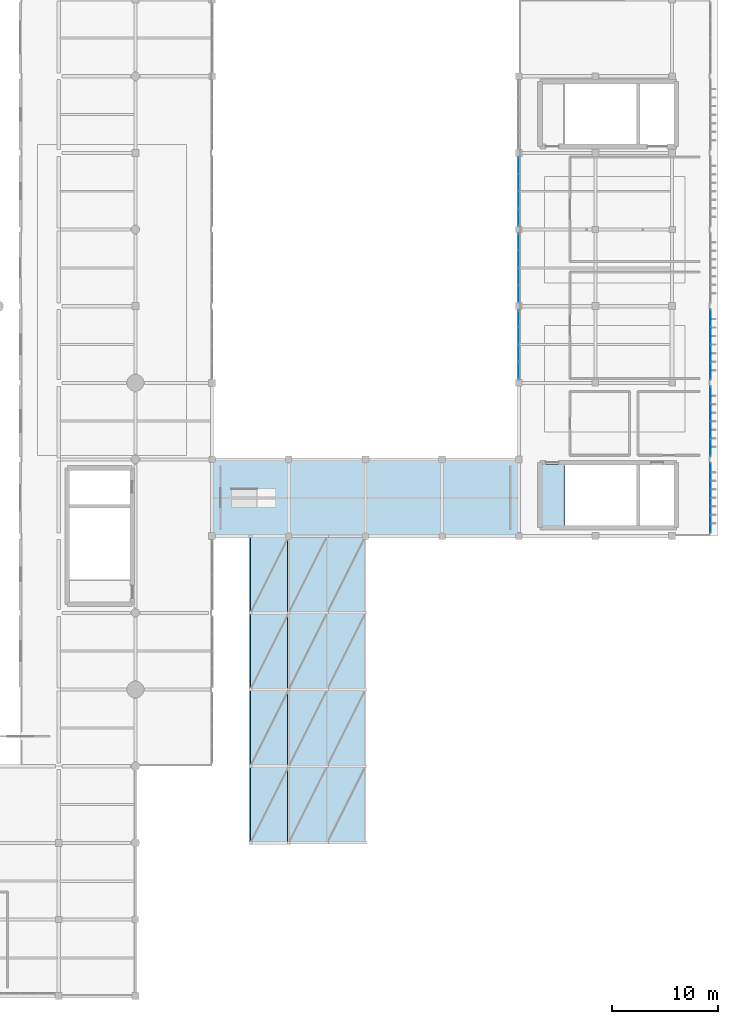
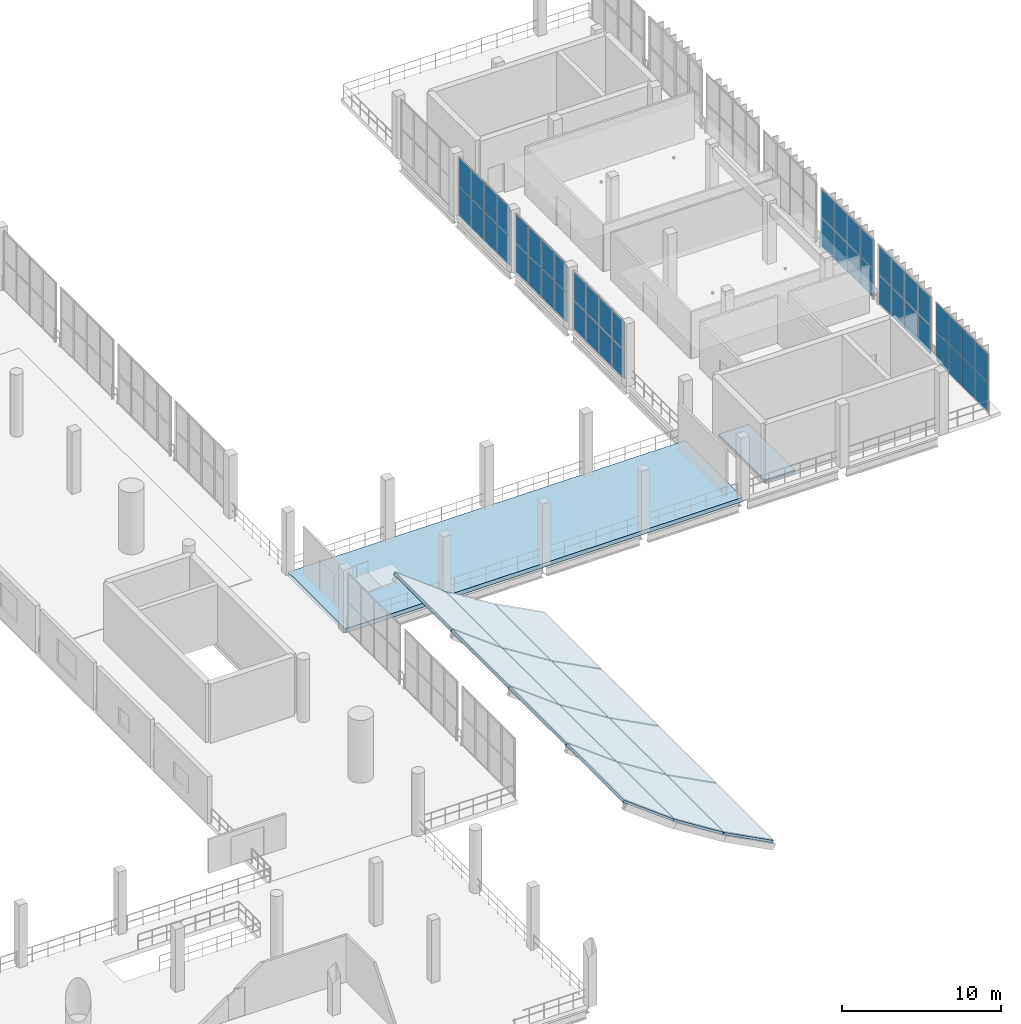
# One storey, part 80 of 105: 48 plates, 14 slabs, 6 elements without a shape of their own.
"""IFC4 building model written with IfcOpenShell, lengths in metres."""

from ifc_helpers import new_model, si_unit, direction, frame, origin, origin_2d, place, context, subcontext, project, spatial, polyline, rectangle, outline, extrude, material, layer, layer_set, type_object, element, aggregate, save


model = new_model("IFC4")

# Units and contexts
model_context = context("Model", 3, precision=1e-05, world=origin(), true_north=direction((0.0, 1.0)))
body_context = subcontext(model_context, "Body", "Model", "MODEL_VIEW")
ifc_project = project(units=[si_unit("LENGTHUNIT", "METRE"), si_unit("AREAUNIT", "SQUARE_METRE"), si_unit("VOLUMEUNIT", "CUBIC_METRE"), si_unit("PLANEANGLEUNIT", "RADIAN"), si_unit("MASSUNIT", "GRAM", prefix="KILO")], contexts=[model_context])

# Site, building, storey
site_placement = place(None, origin())
site = spatial("IfcSite", under=ifc_project, at=site_placement, CompositionType="ELEMENT")
building_placement = place(site_placement, origin())
building = spatial("IfcBuilding", under=site, at=building_placement, Name="Qandorah Velis Arena", CompositionType="ELEMENT")
storey_placement = place(building_placement, frame((0.0, 0.0, 13.800048828125)))
storey = spatial("IfcBuildingStorey", under=building, at=storey_placement, Name="L03", CompositionType="ELEMENT", Elevation=13.800048828125)

# Curtain wall, plates
ifc_material_1 = material(Name="Solar-control low-E double glazing", Category="glass")
curtain_wall_type_1 = type_object("IfcCurtainWallType", Name="ARC-CW-SYS09", PredefinedType="USERDEFINED", material=ifc_material_1)
curtain_wall_1_placement = place(storey_placement, origin())
curtain_wall_1 = element("IfcCurtainWall", 1, at=curtain_wall_1_placement, inside=storey, type_object=curtain_wall_type_1, Name="Unitised curtain wall L03-129", ObjectType="UNITISED CURTAIN WALL", PredefinedType="USERDEFINED")
ifc_layer_1 = layer(ifc_material_1, 0.02392578125)
ifc_layer_set_1 = layer_set([ifc_layer_1], Name="Solar-control low-E double glazing")
plate_type_1 = type_object("IfcPlateType", Name="ARC-CWP-GLZ24", PredefinedType="CURTAIN_PANEL", material=ifc_layer_set_1)
plate_1_placement = place(storey_placement, frame((151.199951171875, 58.75927734375, 0.06494140625), z_axis=(0.0, 0.0, 1.0), x_axis=(0.0, 1.0, 0.0)))
plate_1 = element("IfcPlate", 2, at=plate_1_placement, type_object=plate_type_1, Name="CW09 panel 1.1", PredefinedType="CURTAIN_PANEL", context=body_context, shape_type="SweptSolid", body=[
    extrude(rectangle(XDim=1.538818359375, YDim=0.02392578125, at=origin_2d()), origin(), (0.0, 0.0, 1.0), 2.172607421875),
])
plate_2_placement = place(storey_placement, frame((151.199951171875, 58.75927734375, 2.29248046875), z_axis=(0.0, 0.0, 1.0), x_axis=(0.0, 1.0, 0.0)))
plate_2 = element("IfcPlate", 3, at=plate_2_placement, type_object=plate_type_1, Name="CW09 panel 1.2", PredefinedType="CURTAIN_PANEL", context=body_context, shape_type="SweptSolid", body=[
    extrude(rectangle(XDim=1.538818359375, YDim=0.02392578125, at=origin_2d()), origin(), (0.0, 0.0, 1.0), 2.172607421875),
])
plate_3_placement = place(storey_placement, frame((151.199951171875, 60.371826171875, 0.06494140625), z_axis=(0.0, 0.0, 1.0), x_axis=(0.0, 1.0, 0.0)))
plate_3 = element("IfcPlate", 4, at=plate_3_placement, type_object=plate_type_1, Name="CW09 panel 2.1", PredefinedType="CURTAIN_PANEL", context=body_context, shape_type="SweptSolid", body=[
    extrude(rectangle(XDim=1.576416015625, YDim=0.02392578125, at=origin_2d()), origin(), (0.0, 0.0, 1.0), 2.172607421875),
])
plate_4_placement = place(storey_placement, frame((151.199951171875, 60.371826171875, 2.29248046875), z_axis=(0.0, 0.0, 1.0), x_axis=(0.0, 1.0, 0.0)))
plate_4 = element("IfcPlate", 5, at=plate_4_placement, type_object=plate_type_1, Name="CW09 panel 2.2", PredefinedType="CURTAIN_PANEL", context=body_context, shape_type="SweptSolid", body=[
    extrude(rectangle(XDim=1.576416015625, YDim=0.02392578125, at=origin_2d()), origin(), (0.0, 0.0, 1.0), 2.172607421875),
])
plate_5_placement = place(storey_placement, frame((151.199951171875, 62.003173828125, 0.06494140625), z_axis=(0.0, 0.0, 1.0), x_axis=(0.0, 1.0, 0.0)))
plate_5 = element("IfcPlate", 6, at=plate_5_placement, type_object=plate_type_1, Name="CW09 panel 3.1", PredefinedType="CURTAIN_PANEL", context=body_context, shape_type="SweptSolid", body=[
    extrude(rectangle(XDim=1.576416015625, YDim=0.02392578125, at=origin_2d()), origin(), (0.0, 0.0, 1.0), 2.172607421875),
])
plate_6_placement = place(storey_placement, frame((151.199951171875, 62.003173828125, 2.29248046875), z_axis=(0.0, 0.0, 1.0), x_axis=(0.0, 1.0, 0.0)))
plate_6 = element("IfcPlate", 7, at=plate_6_placement, type_object=plate_type_1, Name="CW09 panel 3.2", PredefinedType="CURTAIN_PANEL", context=body_context, shape_type="SweptSolid", body=[
    extrude(rectangle(XDim=1.576416015625, YDim=0.02392578125, at=origin_2d()), origin(), (0.0, 0.0, 1.0), 2.172607421875),
])
plate_7_placement = place(storey_placement, frame((151.199951171875, 63.61572265625, 0.06494140625), z_axis=(0.0, 0.0, 1.0), x_axis=(0.0, 1.0, 0.0)))
plate_7 = element("IfcPlate", 8, at=plate_7_placement, type_object=plate_type_1, Name="CW09 panel 4.1", PredefinedType="CURTAIN_PANEL", context=body_context, shape_type="SweptSolid", body=[
    extrude(rectangle(XDim=1.538818359375, YDim=0.02392578125, at=origin_2d()), origin(), (0.0, 0.0, 1.0), 2.172607421875),
])
plate_8_placement = place(storey_placement, frame((151.199951171875, 63.61572265625, 2.29248046875), z_axis=(0.0, 0.0, 1.0), x_axis=(0.0, 1.0, 0.0)))
plate_8 = element("IfcPlate", 9, at=plate_8_placement, type_object=plate_type_1, Name="CW09 panel 4.2", PredefinedType="CURTAIN_PANEL", context=body_context, shape_type="SweptSolid", body=[
    extrude(rectangle(XDim=1.538818359375, YDim=0.02392578125, at=origin_2d()), origin(), (0.0, 0.0, 1.0), 2.172607421875),
])
aggregate(curtain_wall_1, [plate_1, plate_2, plate_3, plate_4, plate_5, plate_6, plate_7, plate_8])

curtain_wall_type_2 = type_object("IfcCurtainWallType", Name="ARC-CW-SYS10", PredefinedType="USERDEFINED", material=ifc_material_1)
curtain_wall_2_placement = place(storey_placement, origin())
curtain_wall_2 = element("IfcCurtainWall", 10, at=curtain_wall_2_placement, inside=storey, type_object=curtain_wall_type_2, Name="Unitised curtain wall L03-154", ObjectType="UNITISED CURTAIN WALL", PredefinedType="USERDEFINED")
plate_9_placement = place(storey_placement, frame((169.199951171875, 58.7412109375, 0.054931640625), z_axis=(0.0, 0.0, 1.0), x_axis=(0.0, 1.0, 0.0)))
plate_9 = element("IfcPlate", 11, at=plate_9_placement, type_object=plate_type_1, Name="CW10 panel 1.1", PredefinedType="CURTAIN_PANEL", context=body_context, shape_type="SweptSolid", body=[
    extrude(rectangle(XDim=1.572509765625, YDim=0.02392578125, at=origin_2d()), origin(), (0.0, 0.0, 1.0), 2.1875),
])
plate_10_placement = place(storey_placement, frame((169.199951171875, 58.7412109375, 2.287353515625), z_axis=(0.0, 0.0, 1.0), x_axis=(0.0, 1.0, 0.0)))
plate_10 = element("IfcPlate", 12, at=plate_10_placement, type_object=plate_type_1, Name="CW10 panel 1.2", PredefinedType="CURTAIN_PANEL", context=body_context, shape_type="SweptSolid", body=[
    extrude(rectangle(XDim=1.572509765625, YDim=0.02392578125, at=origin_2d()), origin(), (0.0, 0.0, 1.0), 2.1875),
])
plate_11_placement = place(storey_placement, frame((169.199951171875, 60.375, 0.054931640625), z_axis=(0.0, 0.0, 1.0), x_axis=(0.0, 1.0, 0.0)))
plate_11 = element("IfcPlate", 13, at=plate_11_placement, type_object=plate_type_1, Name="CW10 panel 2.1", PredefinedType="CURTAIN_PANEL", context=body_context, shape_type="SweptSolid", body=[
    extrude(rectangle(XDim=1.60498046875, YDim=0.02392578125, at=origin_2d()), origin(), (0.0, 0.0, 1.0), 2.1875),
])
plate_12_placement = place(storey_placement, frame((169.199951171875, 60.375, 2.287353515625), z_axis=(0.0, 0.0, 1.0), x_axis=(0.0, 1.0, 0.0)))
plate_12 = element("IfcPlate", 14, at=plate_12_placement, type_object=plate_type_1, Name="CW10 panel 2.2", PredefinedType="CURTAIN_PANEL", context=body_context, shape_type="SweptSolid", body=[
    extrude(rectangle(XDim=1.60498046875, YDim=0.02392578125, at=origin_2d()), origin(), (0.0, 0.0, 1.0), 2.1875),
])
plate_13_placement = place(storey_placement, frame((169.199951171875, 62.02490234375, 0.054931640625), z_axis=(0.0, 0.0, 1.0), x_axis=(0.0, 1.0, 0.0)))
plate_13 = element("IfcPlate", 15, at=plate_13_placement, type_object=plate_type_1, Name="CW10 panel 3.1", PredefinedType="CURTAIN_PANEL", context=body_context, shape_type="SweptSolid", body=[
    extrude(rectangle(XDim=1.60498046875, YDim=0.02392578125, at=origin_2d()), origin(), (0.0, 0.0, 1.0), 2.1875),
])
plate_14_placement = place(storey_placement, frame((169.199951171875, 62.02490234375, 2.287353515625), z_axis=(0.0, 0.0, 1.0), x_axis=(0.0, 1.0, 0.0)))
plate_14 = element("IfcPlate", 16, at=plate_14_placement, type_object=plate_type_1, Name="CW10 panel 3.2", PredefinedType="CURTAIN_PANEL", context=body_context, shape_type="SweptSolid", body=[
    extrude(rectangle(XDim=1.60498046875, YDim=0.02392578125, at=origin_2d()), origin(), (0.0, 0.0, 1.0), 2.1875),
])
plate_15_placement = place(storey_placement, frame((169.199951171875, 63.65869140625, 0.054931640625), z_axis=(0.0, 0.0, 1.0), x_axis=(0.0, 1.0, 0.0)))
plate_15 = element("IfcPlate", 17, at=plate_15_placement, type_object=plate_type_1, Name="CW10 panel 4.1", PredefinedType="CURTAIN_PANEL", context=body_context, shape_type="SweptSolid", body=[
    extrude(rectangle(XDim=1.572509765625, YDim=0.02392578125, at=origin_2d()), origin(), (0.0, 0.0, 1.0), 2.1875),
])
plate_16_placement = place(storey_placement, frame((169.199951171875, 63.65869140625, 2.287353515625), z_axis=(0.0, 0.0, 1.0), x_axis=(0.0, 1.0, 0.0)))
plate_16 = element("IfcPlate", 18, at=plate_16_placement, type_object=plate_type_1, Name="CW10 panel 4.2", PredefinedType="CURTAIN_PANEL", context=body_context, shape_type="SweptSolid", body=[
    extrude(rectangle(XDim=1.572509765625, YDim=0.02392578125, at=origin_2d()), origin(), (0.0, 0.0, 1.0), 2.1875),
])
aggregate(curtain_wall_2, [plate_9, plate_10, plate_11, plate_12, plate_13, plate_14, plate_15, plate_16])

curtain_wall_3_placement = place(storey_placement, origin())
curtain_wall_3 = element("IfcCurtainWall", 19, at=curtain_wall_3_placement, inside=storey, type_object=curtain_wall_type_1, Name="Unitised curtain wall L03-153", ObjectType="UNITISED CURTAIN WALL", PredefinedType="USERDEFINED")
ifc_layer_2 = layer(ifc_material_1, 0.028076171875)
ifc_layer_set_2 = layer_set([ifc_layer_2], Name="Solar-control low-E double glazing")
plate_type_2 = type_object("IfcPlateType", Name="ARC-CWP-GLZ28", PredefinedType="CURTAIN_PANEL", material=ifc_layer_set_2)
plate_17_placement = place(storey_placement, frame((169.199951171875, 51.543701171875, 0.06494140625), z_axis=(0.0, 0.0, 1.0), x_axis=(0.0, 1.0, 0.0)))
plate_17 = element("IfcPlate", 20, at=plate_17_placement, type_object=plate_type_2, Name="CW09 panel 1.1", PredefinedType="CURTAIN_PANEL", context=body_context, shape_type="SweptSolid", body=[
    extrude(rectangle(XDim=1.5576171875, YDim=0.028076171875, at=origin_2d()), origin(), (0.0, 0.0, 1.0), 2.172607421875),
])
plate_18_placement = place(storey_placement, frame((169.199951171875, 51.543701171875, 2.29248046875), z_axis=(0.0, 0.0, 1.0), x_axis=(0.0, 1.0, 0.0)))
plate_18 = element("IfcPlate", 21, at=plate_18_placement, type_object=plate_type_2, Name="CW09 panel 1.2", PredefinedType="CURTAIN_PANEL", context=body_context, shape_type="SweptSolid", body=[
    extrude(rectangle(XDim=1.5576171875, YDim=0.028076171875, at=origin_2d()), origin(), (0.0, 0.0, 1.0), 2.172607421875),
])
plate_19_placement = place(storey_placement, frame((169.199951171875, 53.175048828125, 0.06494140625), z_axis=(0.0, 0.0, 1.0), x_axis=(0.0, 1.0, 0.0)))
plate_19 = element("IfcPlate", 22, at=plate_19_placement, type_object=plate_type_2, Name="CW09 panel 2.1", PredefinedType="CURTAIN_PANEL", context=body_context, shape_type="SweptSolid", body=[
    extrude(rectangle(XDim=1.594970703125, YDim=0.028076171875, at=origin_2d()), origin(), (0.0, 0.0, 1.0), 2.172607421875),
])
plate_20_placement = place(storey_placement, frame((169.199951171875, 53.175048828125, 2.29248046875), z_axis=(0.0, 0.0, 1.0), x_axis=(0.0, 1.0, 0.0)))
plate_20 = element("IfcPlate", 23, at=plate_20_placement, type_object=plate_type_2, Name="CW09 panel 2.2", PredefinedType="CURTAIN_PANEL", context=body_context, shape_type="SweptSolid", body=[
    extrude(rectangle(XDim=1.594970703125, YDim=0.028076171875, at=origin_2d()), origin(), (0.0, 0.0, 1.0), 2.172607421875),
])
plate_21_placement = place(storey_placement, frame((169.199951171875, 54.824951171875, 0.06494140625), z_axis=(0.0, 0.0, 1.0), x_axis=(0.0, 1.0, 0.0)))
plate_21 = element("IfcPlate", 24, at=plate_21_placement, type_object=plate_type_2, Name="CW09 panel 3.1", PredefinedType="CURTAIN_PANEL", context=body_context, shape_type="SweptSolid", body=[
    extrude(rectangle(XDim=1.594970703125, YDim=0.028076171875, at=origin_2d()), origin(), (0.0, 0.0, 1.0), 2.172607421875),
])
plate_22_placement = place(storey_placement, frame((169.199951171875, 54.824951171875, 2.29248046875), z_axis=(0.0, 0.0, 1.0), x_axis=(0.0, 1.0, 0.0)))
plate_22 = element("IfcPlate", 25, at=plate_22_placement, type_object=plate_type_2, Name="CW09 panel 3.2", PredefinedType="CURTAIN_PANEL", context=body_context, shape_type="SweptSolid", body=[
    extrude(rectangle(XDim=1.594970703125, YDim=0.028076171875, at=origin_2d()), origin(), (0.0, 0.0, 1.0), 2.172607421875),
])
plate_23_placement = place(storey_placement, frame((169.199951171875, 56.456298828125, 0.06494140625), z_axis=(0.0, 0.0, 1.0), x_axis=(0.0, 1.0, 0.0)))
plate_23 = element("IfcPlate", 26, at=plate_23_placement, type_object=plate_type_2, Name="CW09 panel 4.1", PredefinedType="CURTAIN_PANEL", context=body_context, shape_type="SweptSolid", body=[
    extrude(rectangle(XDim=1.5576171875, YDim=0.028076171875, at=origin_2d()), origin(), (0.0, 0.0, 1.0), 2.172607421875),
])
plate_24_placement = place(storey_placement, frame((169.199951171875, 56.456298828125, 2.29248046875), z_axis=(0.0, 0.0, 1.0), x_axis=(0.0, 1.0, 0.0)))
plate_24 = element("IfcPlate", 27, at=plate_24_placement, type_object=plate_type_2, Name="CW09 panel 4.2", PredefinedType="CURTAIN_PANEL", context=body_context, shape_type="SweptSolid", body=[
    extrude(rectangle(XDim=1.5576171875, YDim=0.028076171875, at=origin_2d()), origin(), (0.0, 0.0, 1.0), 2.172607421875),
])
aggregate(curtain_wall_3, [plate_17, plate_18, plate_19, plate_20, plate_21, plate_22, plate_23, plate_24])

curtain_wall_type_3 = type_object("IfcCurtainWallType", Name="ARC-CW-SYS08", PredefinedType="USERDEFINED", material=ifc_material_1)
curtain_wall_4_placement = place(storey_placement, origin())
curtain_wall_4 = element("IfcCurtainWall", 28, at=curtain_wall_4_placement, inside=storey, type_object=curtain_wall_type_3, Name="Unitised curtain wall L03-152", ObjectType="UNITISED CURTAIN WALL", PredefinedType="USERDEFINED")
ifc_layer_3 = layer(ifc_material_1, 0.030029296875)
ifc_layer_set_3 = layer_set([ifc_layer_3], Name="Solar-control low-E double glazing")
plate_type_3 = type_object("IfcPlateType", Name="ARC-CWP-GLZ30", PredefinedType="CURTAIN_PANEL", material=ifc_layer_set_3)
plate_25_placement = place(storey_placement, frame((169.199951171875, 44.3388671875, 0.044921875), z_axis=(0.0, 0.0, 1.0), x_axis=(0.0, 1.0, 0.0)))
plate_25 = element("IfcPlate", 29, at=plate_25_placement, type_object=plate_type_3, Name="CW08 panel 1.1", PredefinedType="CURTAIN_PANEL", context=body_context, shape_type="SweptSolid", body=[
    extrude(rectangle(XDim=1.58740234375, YDim=0.030029296875, at=origin_2d()), origin(), (0.0, 0.0, 1.0), 2.202392578125),
])
plate_26_placement = place(storey_placement, frame((169.199951171875, 44.3388671875, 2.28271484375), z_axis=(0.0, 0.0, 1.0), x_axis=(0.0, 1.0, 0.0)))
plate_26 = element("IfcPlate", 30, at=plate_26_placement, type_object=plate_type_3, Name="CW08 panel 1.2", PredefinedType="CURTAIN_PANEL", context=body_context, shape_type="SweptSolid", body=[
    extrude(rectangle(XDim=1.58740234375, YDim=0.030029296875, at=origin_2d()), origin(), (0.0, 0.0, 1.0), 2.202392578125),
])
plate_27_placement = place(storey_placement, frame((169.199951171875, 45.97509765625, 0.044921875), z_axis=(0.0, 0.0, 1.0), x_axis=(0.0, 1.0, 0.0)))
plate_27 = element("IfcPlate", 31, at=plate_27_placement, type_object=plate_type_3, Name="CW08 panel 2.1", PredefinedType="CURTAIN_PANEL", context=body_context, shape_type="SweptSolid", body=[
    extrude(rectangle(XDim=1.614990234375, YDim=0.030029296875, at=origin_2d()), origin(), (0.0, 0.0, 1.0), 2.202392578125),
])
plate_28_placement = place(storey_placement, frame((169.199951171875, 45.97509765625, 2.28271484375), z_axis=(0.0, 0.0, 1.0), x_axis=(0.0, 1.0, 0.0)))
plate_28 = element("IfcPlate", 32, at=plate_28_placement, type_object=plate_type_3, Name="CW08 panel 2.2", PredefinedType="CURTAIN_PANEL", context=body_context, shape_type="SweptSolid", body=[
    extrude(rectangle(XDim=1.614990234375, YDim=0.030029296875, at=origin_2d()), origin(), (0.0, 0.0, 1.0), 2.202392578125),
])
plate_29_placement = place(storey_placement, frame((169.199951171875, 47.625, 0.044921875), z_axis=(0.0, 0.0, 1.0), x_axis=(0.0, 1.0, 0.0)))
plate_29 = element("IfcPlate", 33, at=plate_29_placement, type_object=plate_type_3, Name="CW08 panel 3.1", PredefinedType="CURTAIN_PANEL", context=body_context, shape_type="SweptSolid", body=[
    extrude(rectangle(XDim=1.614990234375, YDim=0.030029296875, at=origin_2d()), origin(), (0.0, 0.0, 1.0), 2.202392578125),
])
plate_30_placement = place(storey_placement, frame((169.199951171875, 47.625, 2.28271484375), z_axis=(0.0, 0.0, 1.0), x_axis=(0.0, 1.0, 0.0)))
plate_30 = element("IfcPlate", 34, at=plate_30_placement, type_object=plate_type_3, Name="CW08 panel 3.2", PredefinedType="CURTAIN_PANEL", context=body_context, shape_type="SweptSolid", body=[
    extrude(rectangle(XDim=1.614990234375, YDim=0.030029296875, at=origin_2d()), origin(), (0.0, 0.0, 1.0), 2.202392578125),
])
plate_31_placement = place(storey_placement, frame((169.199951171875, 49.26123046875, 0.044921875), z_axis=(0.0, 0.0, 1.0), x_axis=(0.0, 1.0, 0.0)))
plate_31 = element("IfcPlate", 35, at=plate_31_placement, type_object=plate_type_3, Name="CW08 panel 4.1", PredefinedType="CURTAIN_PANEL", context=body_context, shape_type="SweptSolid", body=[
    extrude(rectangle(XDim=1.58740234375, YDim=0.030029296875, at=origin_2d()), origin(), (0.0, 0.0, 1.0), 2.202392578125),
])
plate_32_placement = place(storey_placement, frame((169.199951171875, 49.26123046875, 2.28271484375), z_axis=(0.0, 0.0, 1.0), x_axis=(0.0, 1.0, 0.0)))
plate_32 = element("IfcPlate", 36, at=plate_32_placement, type_object=plate_type_3, Name="CW08 panel 4.2", PredefinedType="CURTAIN_PANEL", context=body_context, shape_type="SweptSolid", body=[
    extrude(rectangle(XDim=1.58740234375, YDim=0.030029296875, at=origin_2d()), origin(), (0.0, 0.0, 1.0), 2.202392578125),
])
aggregate(curtain_wall_4, [plate_25, plate_26, plate_27, plate_28, plate_29, plate_30, plate_31, plate_32])

curtain_wall_type_4 = type_object("IfcCurtainWallType", Name="ARC-CW-SYS11", PredefinedType="USERDEFINED", material=ifc_material_1)
curtain_wall_5_placement = place(storey_placement, origin())
curtain_wall_5 = element("IfcCurtainWall", 37, at=curtain_wall_5_placement, inside=storey, type_object=curtain_wall_type_4, Name="Unitised curtain wall L03-131", ObjectType="UNITISED CURTAIN WALL", PredefinedType="USERDEFINED")
ifc_layer_4 = layer(ifc_material_1, 0.035888671875)
ifc_layer_set_4 = layer_set([ifc_layer_4], Name="Solar-control low-E double glazing")
plate_type_4 = type_object("IfcPlateType", Name="ARC-CWP-GLZ36", PredefinedType="CURTAIN_PANEL", material=ifc_layer_set_4)
plate_33_placement = place(storey_placement, frame((151.199951171875, 73.155517578125, 0.0498046875), z_axis=(0.0, 0.0, 1.0), x_axis=(0.0, 1.0, 0.0)))
plate_33 = element("IfcPlate", 38, at=plate_33_placement, type_object=plate_type_4, Name="CW11 panel 1.1", PredefinedType="CURTAIN_PANEL", context=body_context, shape_type="SweptSolid", body=[
    extrude(rectangle(XDim=1.561279296875, YDim=0.035888671875, at=origin_2d()), origin(), (0.0, 0.0, 1.0), 2.195068359375),
])
plate_34_placement = place(storey_placement, frame((151.199951171875, 73.155517578125, 2.28515625), z_axis=(0.0, 0.0, 1.0), x_axis=(0.0, 1.0, 0.0)))
plate_34 = element("IfcPlate", 39, at=plate_34_placement, type_object=plate_type_4, Name="CW11 panel 1.2", PredefinedType="CURTAIN_PANEL", context=body_context, shape_type="SweptSolid", body=[
    extrude(rectangle(XDim=1.561279296875, YDim=0.035888671875, at=origin_2d()), origin(), (0.0, 0.0, 1.0), 2.195068359375),
])
plate_35_placement = place(storey_placement, frame((151.199951171875, 74.77197265625, 0.0498046875), z_axis=(0.0, 0.0, 1.0), x_axis=(0.0, 1.0, 0.0)))
plate_35 = element("IfcPlate", 40, at=plate_35_placement, type_object=plate_type_4, Name="CW11 panel 2.1", PredefinedType="CURTAIN_PANEL", context=body_context, shape_type="SweptSolid", body=[
    extrude(rectangle(XDim=1.59130859375, YDim=0.035888671875, at=origin_2d()), origin(), (0.0, 0.0, 1.0), 2.195068359375),
])
plate_36_placement = place(storey_placement, frame((151.199951171875, 74.77197265625, 2.28515625), z_axis=(0.0, 0.0, 1.0), x_axis=(0.0, 1.0, 0.0)))
plate_36 = element("IfcPlate", 41, at=plate_36_placement, type_object=plate_type_4, Name="CW11 panel 2.2", PredefinedType="CURTAIN_PANEL", context=body_context, shape_type="SweptSolid", body=[
    extrude(rectangle(XDim=1.59130859375, YDim=0.035888671875, at=origin_2d()), origin(), (0.0, 0.0, 1.0), 2.195068359375),
])
plate_37_placement = place(storey_placement, frame((151.199951171875, 76.403076171875, 0.0498046875), z_axis=(0.0, 0.0, 1.0), x_axis=(0.0, 1.0, 0.0)))
plate_37 = element("IfcPlate", 42, at=plate_37_placement, type_object=plate_type_4, Name="CW11 panel 3.1", PredefinedType="CURTAIN_PANEL", context=body_context, shape_type="SweptSolid", body=[
    extrude(rectangle(XDim=1.59130859375, YDim=0.035888671875, at=origin_2d()), origin(), (0.0, 0.0, 1.0), 2.195068359375),
])
plate_38_placement = place(storey_placement, frame((151.199951171875, 76.403076171875, 2.28515625), z_axis=(0.0, 0.0, 1.0), x_axis=(0.0, 1.0, 0.0)))
plate_38 = element("IfcPlate", 43, at=plate_38_placement, type_object=plate_type_4, Name="CW11 panel 3.2", PredefinedType="CURTAIN_PANEL", context=body_context, shape_type="SweptSolid", body=[
    extrude(rectangle(XDim=1.59130859375, YDim=0.035888671875, at=origin_2d()), origin(), (0.0, 0.0, 1.0), 2.195068359375),
])
plate_39_placement = place(storey_placement, frame((151.199951171875, 78.019287109375, 0.0498046875), z_axis=(0.0, 0.0, 1.0), x_axis=(0.0, 1.0, 0.0)))
plate_39 = element("IfcPlate", 44, at=plate_39_placement, type_object=plate_type_4, Name="CW11 panel 4.1", PredefinedType="CURTAIN_PANEL", context=body_context, shape_type="SweptSolid", body=[
    extrude(rectangle(XDim=1.561279296875, YDim=0.035888671875, at=origin_2d()), origin(), (0.0, 0.0, 1.0), 2.195068359375),
])
plate_40_placement = place(storey_placement, frame((151.199951171875, 78.019287109375, 2.28515625), z_axis=(0.0, 0.0, 1.0), x_axis=(0.0, 1.0, 0.0)))
plate_40 = element("IfcPlate", 45, at=plate_40_placement, type_object=plate_type_4, Name="CW11 panel 4.2", PredefinedType="CURTAIN_PANEL", context=body_context, shape_type="SweptSolid", body=[
    extrude(rectangle(XDim=1.561279296875, YDim=0.035888671875, at=origin_2d()), origin(), (0.0, 0.0, 1.0), 2.195068359375),
])
aggregate(curtain_wall_5, [plate_33, plate_34, plate_35, plate_36, plate_37, plate_38, plate_39, plate_40])

curtain_wall_6_placement = place(storey_placement, origin())
curtain_wall_6 = element("IfcCurtainWall", 46, at=curtain_wall_6_placement, inside=storey, type_object=curtain_wall_type_2, Name="Unitised curtain wall L03-130", ObjectType="UNITISED CURTAIN WALL", PredefinedType="USERDEFINED")
ifc_layer_5 = layer(ifc_material_1, 0.0439453125)
ifc_layer_set_5 = layer_set([ifc_layer_5], Name="Solar-control low-E double glazing")
plate_type_5 = type_object("IfcPlateType", Name="ARC-CWP-SPN44", PredefinedType="CURTAIN_PANEL", material=ifc_layer_set_5)
plate_41_placement = place(storey_placement, frame((151.199951171875, 65.98193359375, 0.054931640625), z_axis=(0.0, 0.0, 1.0), x_axis=(0.0, 1.0, 0.0)))
plate_41 = element("IfcPlate", 47, at=plate_41_placement, type_object=plate_type_5, Name="CW10 panel 1.1", PredefinedType="CURTAIN_PANEL", context=body_context, shape_type="SweptSolid", body=[
    extrude(rectangle(XDim=1.5537109375, YDim=0.0439453125, at=origin_2d()), origin(), (0.0, 0.0, 1.0), 2.1875),
])
plate_42_placement = place(storey_placement, frame((151.199951171875, 65.98193359375, 2.287353515625), z_axis=(0.0, 0.0, 1.0), x_axis=(0.0, 1.0, 0.0)))
plate_42 = element("IfcPlate", 48, at=plate_42_placement, type_object=plate_type_5, Name="CW10 panel 1.2", PredefinedType="CURTAIN_PANEL", context=body_context, shape_type="SweptSolid", body=[
    extrude(rectangle(XDim=1.5537109375, YDim=0.0439453125, at=origin_2d()), origin(), (0.0, 0.0, 1.0), 2.1875),
])
plate_43_placement = place(storey_placement, frame((151.199951171875, 67.596923828125, 0.054931640625), z_axis=(0.0, 0.0, 1.0), x_axis=(0.0, 1.0, 0.0)))
plate_43 = element("IfcPlate", 49, at=plate_43_placement, type_object=plate_type_5, Name="CW10 panel 2.1", PredefinedType="CURTAIN_PANEL", context=body_context, shape_type="SweptSolid", body=[
    extrude(rectangle(XDim=1.586181640625, YDim=0.0439453125, at=origin_2d()), origin(), (0.0, 0.0, 1.0), 2.1875),
])
plate_44_placement = place(storey_placement, frame((151.199951171875, 67.596923828125, 2.287353515625), z_axis=(0.0, 0.0, 1.0), x_axis=(0.0, 1.0, 0.0)))
plate_44 = element("IfcPlate", 50, at=plate_44_placement, type_object=plate_type_5, Name="CW10 panel 2.2", PredefinedType="CURTAIN_PANEL", context=body_context, shape_type="SweptSolid", body=[
    extrude(rectangle(XDim=1.586181640625, YDim=0.0439453125, at=origin_2d()), origin(), (0.0, 0.0, 1.0), 2.1875),
])
plate_45_placement = place(storey_placement, frame((151.199951171875, 69.22802734375, 0.054931640625), z_axis=(0.0, 0.0, 1.0), x_axis=(0.0, 1.0, 0.0)))
plate_45 = element("IfcPlate", 51, at=plate_45_placement, type_object=plate_type_5, Name="CW10 panel 3.1", PredefinedType="CURTAIN_PANEL", context=body_context, shape_type="SweptSolid", body=[
    extrude(rectangle(XDim=1.586181640625, YDim=0.0439453125, at=origin_2d()), origin(), (0.0, 0.0, 1.0), 2.1875),
])
plate_46_placement = place(storey_placement, frame((151.199951171875, 69.22802734375, 2.287353515625), z_axis=(0.0, 0.0, 1.0), x_axis=(0.0, 1.0, 0.0)))
plate_46 = element("IfcPlate", 52, at=plate_46_placement, type_object=plate_type_5, Name="CW10 panel 3.2", PredefinedType="CURTAIN_PANEL", context=body_context, shape_type="SweptSolid", body=[
    extrude(rectangle(XDim=1.586181640625, YDim=0.0439453125, at=origin_2d()), origin(), (0.0, 0.0, 1.0), 2.1875),
])
plate_47_placement = place(storey_placement, frame((151.199951171875, 70.843017578125, 0.054931640625), z_axis=(0.0, 0.0, 1.0), x_axis=(0.0, 1.0, 0.0)))
plate_47 = element("IfcPlate", 53, at=plate_47_placement, type_object=plate_type_5, Name="CW10 panel 4.1", PredefinedType="CURTAIN_PANEL", context=body_context, shape_type="SweptSolid", body=[
    extrude(rectangle(XDim=1.5537109375, YDim=0.0439453125, at=origin_2d()), origin(), (0.0, 0.0, 1.0), 2.1875),
])
plate_48_placement = place(storey_placement, frame((151.199951171875, 70.843017578125, 2.287353515625), z_axis=(0.0, 0.0, 1.0), x_axis=(0.0, 1.0, 0.0)))
plate_48 = element("IfcPlate", 54, at=plate_48_placement, type_object=plate_type_5, Name="CW10 panel 4.2", PredefinedType="CURTAIN_PANEL", context=body_context, shape_type="SweptSolid", body=[
    extrude(rectangle(XDim=1.5537109375, YDim=0.0439453125, at=origin_2d()), origin(), (0.0, 0.0, 1.0), 2.1875),
])
aggregate(curtain_wall_6, [plate_41, plate_42, plate_43, plate_44, plate_45, plate_46, plate_47, plate_48])

# Slabs
ifc_material_2 = material(Name="Concrete C40/50", Category="concrete")
ifc_layer_6 = layer(ifc_material_2, 0.320068359375)
ifc_layer_set_6 = layer_set([ifc_layer_6], Name="Concrete C40/50")
slab_type_1 = type_object("IfcSlabType", Name="STR-SLB-FL320", PredefinedType="FLOOR", material=ifc_layer_set_6)
slab_1_placement = place(storey_placement, frame((0.0, 0.0, -0.320068359375)))
element("IfcSlab", 55, at=slab_1_placement, inside=storey, type_object=slab_type_1, Name="Structural floor slab L03_SOUTH_BRIDGE", PredefinedType="FLOOR", context=body_context, shape_type="SweptSolid", body=[
    extrude(outline(polyline([(151.199951171875, 43.199951171875), (151.199951171875, 50.39990234375), (122.39990234375, 50.39990234375), (122.39990234375, 43.199951171875), (151.199951171875, 43.199951171875)])), origin(), (0.0, 0.0, 1.0), 0.320068359375),
])
ifc_layer_7 = layer(ifc_material_2, 0.219970703125)
ifc_layer_set_7 = layer_set([ifc_layer_7], Name="Concrete C40/50")
slab_type_2 = type_object("IfcSlabType", Name="STR-SLB-LND220", PredefinedType="LANDING", material=ifc_layer_set_7)
slab_2_placement = place(storey_placement, frame((0.0, 0.0, -0.219970703125)))
element("IfcSlab", 56, at=slab_2_placement, inside=storey, type_object=slab_type_2, Name="Stair ST7 storey landing slab L03", PredefinedType="LANDING", context=body_context, shape_type="SweptSolid", body=[
    extrude(outline(polyline([(153.35009765625, 44.14990234375), (155.550048828125, 44.14990234375), (155.550048828125, 49.949951171875), (153.35009765625, 49.949951171875), (153.35009765625, 44.14990234375)])), origin(), (0.0, 0.0, 1.0), 0.219970703125),
])
ifc_layer_8 = layer(ifc_material_2, 0.179931640625)
ifc_layer_set_8 = layer_set([ifc_layer_8], Name="Concrete C40/50")
slab_type_3 = type_object("IfcSlabType", Name="STR-SLB-RF180", PredefinedType="ROOF", material=ifc_layer_set_8)
slab_3_placement = place(storey_placement, frame((126.0, 14.39990234375, 3.093505859375), z_axis=(0.601714554361, 0.0, 0.798711208805), x_axis=(0.798711208805, 0.0, -0.601714554361)))
element("IfcSlab", 57, at=slab_3_placement, inside=storey, type_object=slab_type_3, Name="Sweeping entrance canopy deck 1.04", PredefinedType="ROOF", context=body_context, shape_type="SweptSolid", body=[
    extrude(outline(polyline([(0.0, 0.0), (4.50738341538802, 0.0), (4.50738341538802, 7.200195312499999), (0.0, 7.200195312499999), (0.0, 0.0)])), origin(), (0.0, 0.0, -1.0), 0.179931640625),
])
slab_4_placement = place(storey_placement, frame((129.60009765625, 14.39990234375, 0.38134765625), z_axis=(0.533023278901, 0.0, 0.84610057567), x_axis=(0.84610057567, 0.0, -0.533023278901)))
element("IfcSlab", 58, at=slab_4_placement, inside=storey, type_object=slab_type_3, Name="Sweeping entrance canopy deck 1.05", PredefinedType="ROOF", context=body_context, shape_type="SweptSolid", body=[
    extrude(outline(polyline([(0.0, 0.0), (4.254640191887227, 0.0), (4.254640191887227, 7.2001953125), (0.0, 7.2001953125), (0.0, 0.0)])), origin(), (0.0, 0.0, -1.0), 0.179931640625),
])
slab_5_placement = place(storey_placement, frame((133.199951171875, 14.39990234375, -1.886474609375), z_axis=(0.464379493075, 0.0, 0.885636317238), x_axis=(0.885636317238, 0.0, -0.464379493075)))
element("IfcSlab", 59, at=slab_5_placement, inside=storey, type_object=slab_type_3, Name="Sweeping entrance canopy deck 1.06", PredefinedType="ROOF", context=body_context, shape_type="SweptSolid", body=[
    extrude(outline(polyline([(0.0, 0.0), (4.064984222278264, 0.0), (4.064984222278264, 7.2001953125), (0.0, 7.2001953125), (0.0, 0.0)])), origin(), (0.0, 0.0, -1.0), 0.179931640625),
])
slab_6_placement = place(storey_placement, frame((126.0, 21.60009765625, 3.093505859375), z_axis=(0.601714554361, 0.0, 0.798711208805), x_axis=(0.798711208805, 0.0, -0.601714554361)))
element("IfcSlab", 60, at=slab_6_placement, inside=storey, type_object=slab_type_3, Name="Sweeping entrance canopy deck 2.04", PredefinedType="ROOF", context=body_context, shape_type="SweptSolid", body=[
    extrude(outline(polyline([(0.0, 0.0), (4.50738341538802, 0.0), (4.50738341538802, 7.199951171874999), (0.0, 7.199951171874999), (0.0, 0.0)])), origin(), (0.0, 0.0, -1.0), 0.179931640625),
])
slab_7_placement = place(storey_placement, frame((129.60009765625, 21.60009765625, 0.38134765625), z_axis=(0.533023278901, 0.0, 0.84610057567), x_axis=(0.84610057567, 0.0, -0.533023278901)))
element("IfcSlab", 61, at=slab_7_placement, inside=storey, type_object=slab_type_3, Name="Sweeping entrance canopy deck 2.05", PredefinedType="ROOF", context=body_context, shape_type="SweptSolid", body=[
    extrude(outline(polyline([(0.0, 0.0), (4.254640191887227, 0.0), (4.254640191887227, 7.199951171875), (0.0, 7.199951171875), (0.0, 0.0)])), origin(), (0.0, 0.0, -1.0), 0.179931640625),
])
slab_8_placement = place(storey_placement, frame((133.199951171875, 21.60009765625, -1.886474609375), z_axis=(0.464379493075, 0.0, 0.885636317238), x_axis=(0.885636317238, 0.0, -0.464379493075)))
element("IfcSlab", 62, at=slab_8_placement, inside=storey, type_object=slab_type_3, Name="Sweeping entrance canopy deck 2.06", PredefinedType="ROOF", context=body_context, shape_type="SweptSolid", body=[
    extrude(outline(polyline([(0.0, 0.0), (4.064984222278264, 0.0), (4.064984222278264, 7.199951171875), (0.0, 7.199951171875), (0.0, 0.0)])), origin(), (0.0, 0.0, -1.0), 0.179931640625),
])
slab_9_placement = place(storey_placement, frame((126.0, 28.800048828125, 3.093505859375), z_axis=(0.601714554361, 0.0, 0.798711208805), x_axis=(0.798711208805, 0.0, -0.601714554361)))
element("IfcSlab", 63, at=slab_9_placement, inside=storey, type_object=slab_type_3, Name="Sweeping entrance canopy deck 3.04", PredefinedType="ROOF", context=body_context, shape_type="SweptSolid", body=[
    extrude(outline(polyline([(0.0, 0.0), (4.50738341538802, 0.0), (4.50738341538802, 7.199951171874999), (0.0, 7.199951171874999), (0.0, 0.0)])), origin(), (0.0, 0.0, -1.0), 0.179931640625),
])
slab_10_placement = place(storey_placement, frame((129.60009765625, 28.800048828125, 0.38134765625), z_axis=(0.533023278901, 0.0, 0.84610057567), x_axis=(0.84610057567, 0.0, -0.533023278901)))
element("IfcSlab", 64, at=slab_10_placement, inside=storey, type_object=slab_type_3, Name="Sweeping entrance canopy deck 3.05", PredefinedType="ROOF", context=body_context, shape_type="SweptSolid", body=[
    extrude(outline(polyline([(0.0, 0.0), (4.254640191887227, 0.0), (4.254640191887227, 7.199951171875), (0.0, 7.199951171875), (0.0, 0.0)])), origin(), (0.0, 0.0, -1.0), 0.179931640625),
])
slab_11_placement = place(storey_placement, frame((133.199951171875, 28.800048828125, -1.886474609375), z_axis=(0.464379493075, 0.0, 0.885636317238), x_axis=(0.885636317238, 0.0, -0.464379493075)))
element("IfcSlab", 65, at=slab_11_placement, inside=storey, type_object=slab_type_3, Name="Sweeping entrance canopy deck 3.06", PredefinedType="ROOF", context=body_context, shape_type="SweptSolid", body=[
    extrude(outline(polyline([(0.0, 0.0), (4.064984222278264, 0.0), (4.064984222278264, 7.199951171875), (0.0, 7.199951171875), (0.0, 0.0)])), origin(), (0.0, 0.0, -1.0), 0.179931640625),
])
slab_12_placement = place(storey_placement, frame((126.0, 36.0, 3.093505859375), z_axis=(0.601714554361, 0.0, 0.798711208805), x_axis=(0.798711208805, 0.0, -0.601714554361)))
element("IfcSlab", 66, at=slab_12_placement, inside=storey, type_object=slab_type_3, Name="Sweeping entrance canopy deck 4.04", PredefinedType="ROOF", context=body_context, shape_type="SweptSolid", body=[
    extrude(outline(polyline([(0.0, 0.0), (4.50738341538802, 0.0), (4.50738341538802, 7.199951171874999), (0.0, 7.199951171874999), (0.0, 0.0)])), origin(), (0.0, 0.0, -1.0), 0.179931640625),
])
slab_13_placement = place(storey_placement, frame((129.60009765625, 36.0, 0.38134765625), z_axis=(0.533023278901, 0.0, 0.84610057567), x_axis=(0.84610057567, 0.0, -0.533023278901)))
element("IfcSlab", 67, at=slab_13_placement, inside=storey, type_object=slab_type_3, Name="Sweeping entrance canopy deck 4.05", PredefinedType="ROOF", context=body_context, shape_type="SweptSolid", body=[
    extrude(outline(polyline([(0.0, 0.0), (4.254640191887227, 0.0), (4.254640191887227, 7.199951171875), (0.0, 7.199951171875), (0.0, 0.0)])), origin(), (0.0, 0.0, -1.0), 0.179931640625),
])
slab_14_placement = place(storey_placement, frame((133.199951171875, 36.0, -1.886474609375), z_axis=(0.464379493075, 0.0, 0.885636317238), x_axis=(0.885636317238, 0.0, -0.464379493075)))
element("IfcSlab", 68, at=slab_14_placement, inside=storey, type_object=slab_type_3, Name="Sweeping entrance canopy deck 4.06", PredefinedType="ROOF", context=body_context, shape_type="SweptSolid", body=[
    extrude(outline(polyline([(0.0, 0.0), (4.064984222278264, 0.0), (4.064984222278264, 7.199951171875), (0.0, 7.199951171875), (0.0, 0.0)])), origin(), (0.0, 0.0, -1.0), 0.179931640625),
])

save(model, "model.ifc")
